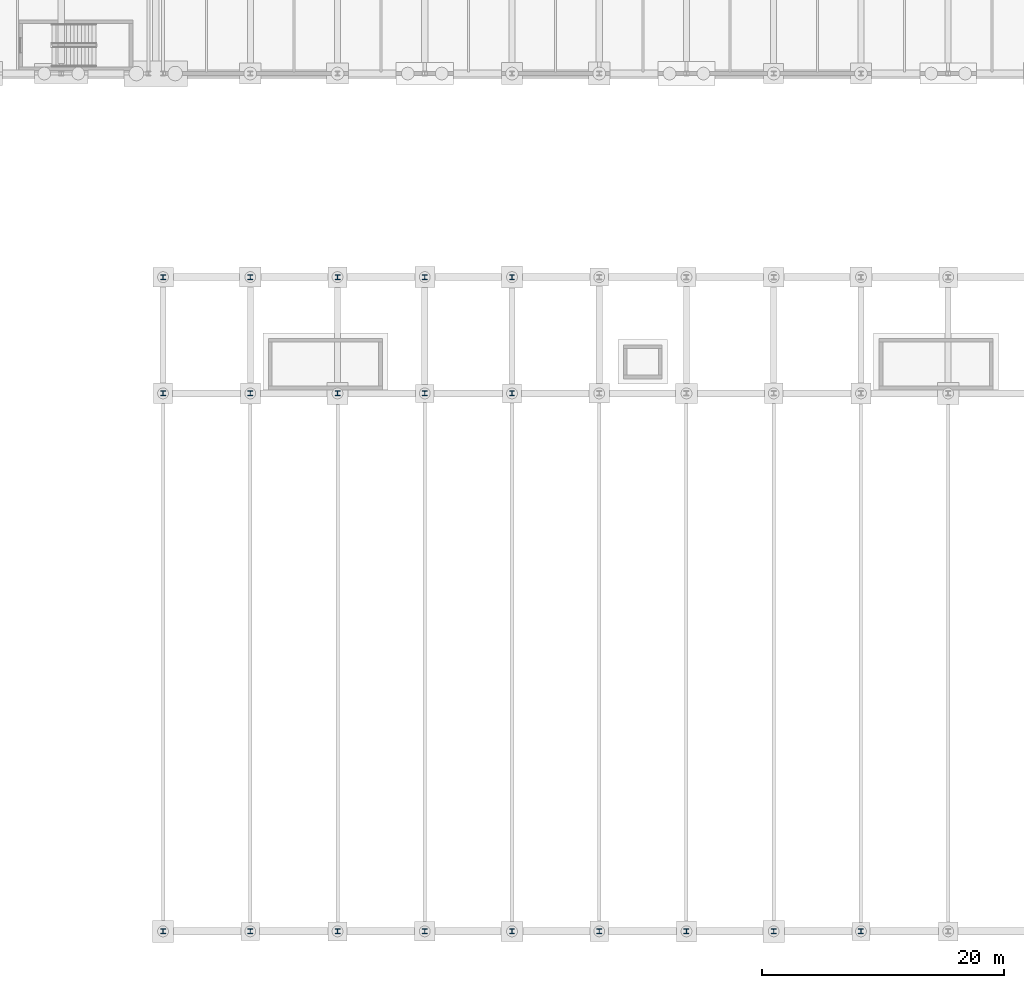
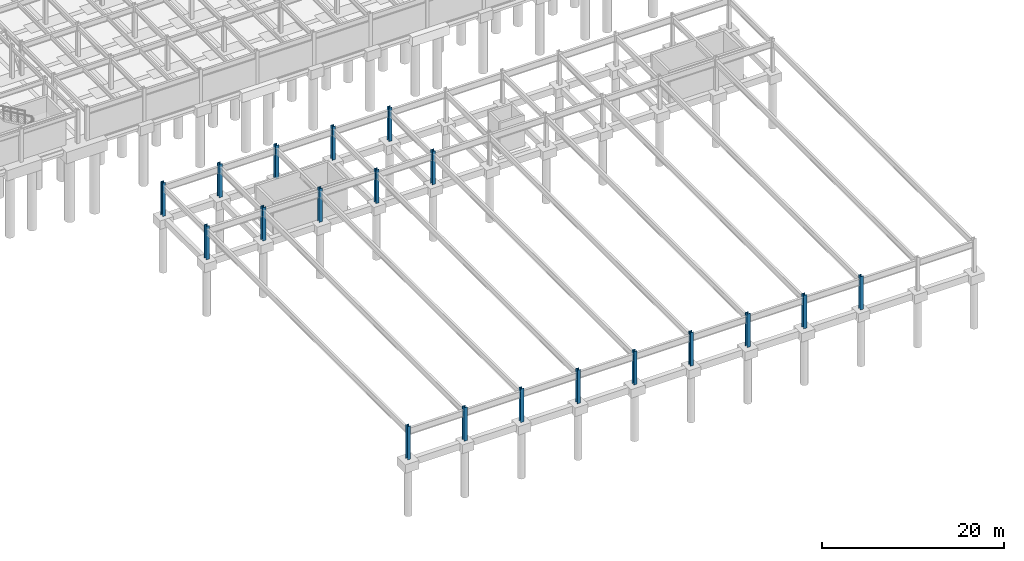
# One storey, part 15 of 54: 19 columns.
"""IFC4 building model written with IfcOpenShell, lengths in metres."""

from ifc_helpers import new_model, si_unit, direction, frame, origin, origin_2d, place, context, subcontext, project, spatial, i_section, extrude, material, material_profile, profile_set, type_object, element, save


model = new_model("IFC4")

# Units and contexts
model_context = context("Model", 3, precision=1e-05, world=origin(), true_north=direction((0.0, 1.0)))
body_context = subcontext(model_context, "Body", "Model", "MODEL_VIEW")
ifc_project = project(units=[si_unit("LENGTHUNIT", "METRE"), si_unit("AREAUNIT", "SQUARE_METRE"), si_unit("VOLUMEUNIT", "CUBIC_METRE"), si_unit("PLANEANGLEUNIT", "RADIAN"), si_unit("MASSUNIT", "GRAM", prefix="KILO")], contexts=[model_context])

# Site, building, storey
site_placement = place(None, origin())
site = spatial("IfcSite", under=ifc_project, at=site_placement, CompositionType="ELEMENT")
building_placement = place(site_placement, origin())
building = spatial("IfcBuilding", under=site, at=building_placement, Name="Vaelcorin Mobility Hub", CompositionType="ELEMENT")
storey_placement = place(building_placement, frame((0.0, 0.0, -4.5)))
storey = spatial("IfcBuildingStorey", under=building, at=storey_placement, Name="B1", CompositionType="ELEMENT", Elevation=-4.5)

# Columns
ifc_material = material(Name="Steel ASTM A992 Grade 50", Category="steel")
ifc_material_profile = material_profile(ifc_material, i_section(OverallWidth=0.408935546875, OverallDepth=0.424072265625, WebThickness=0.03271484375, FlangeThickness=0.052490234375, FilletRadius=0.014892578125, at=origin_2d()), Name="W14X283")
ifc_profile_set = profile_set([ifc_material_profile], Name="Steel ASTM A992 Grade 50")
column_type = type_object("IfcColumnType", Name="COL-W14X283", PredefinedType="COLUMN", material=ifc_profile_set)
for number, where, z_axis, x_axis, name in (
    (1, (36.0, 6.0, 0.0), (0.0, 0.0, 1.0), (1.0, 0.0, 0.0), "Column V1-X01-arch_s B1"),
    (2, (36.0, 50.39990234375, 0.0), (0.0, 0.0, 1.0), (1.0, 0.0, 0.0), "Column V1-X01-gal B1"),
    (3, (36.0, 60.0, 0.0), (0.0, 0.0, 1.0), (1.0, 0.0, 0.0), "Column V1-X01-arch_n B1"),
    (4, (43.199951171875, 6.0, 0.0), (0.0, 0.0, 1.0), (1.0, 0.0, 0.0), "Column V1-X02-arch_s B1"),
    (5, (43.199951171875, 50.39990234375, 0.0), (0.0, 0.0, 1.0), (1.0, 0.0, 0.0), "Column V1-X02-gal B1"),
    (6, (43.199951171875, 60.0, 0.0), (0.0, 0.0, 1.0), (1.0, 0.0, 0.0), "Column V1-X02-arch_n B1"),
    (7, (50.39990234375, 6.0, 0.0), (0.0, 0.0, 1.0), (1.0, 0.0, 0.0), "Column V1-X03-arch_s B1"),
    (8, (50.39990234375, 50.39990234375, 0.0), (0.0, 0.0, 1.0), (1.0, 0.0, 0.0), "Column V1-X03-gal B1"),
    (9, (50.39990234375, 60.0, 0.0), (0.0, 0.0, 1.0), (1.0, 0.0, 0.0), "Column V1-X03-arch_n B1"),
    (10, (57.60009765625, 6.0, 0.0), (0.0, 0.0, 1.0), (1.0, 0.0, 0.0), "Column V1-X04-arch_s B1"),
    (11, (57.60009765625, 50.39990234375, 0.0), (0.0, 0.0, 1.0), (1.0, 0.0, 0.0), "Column V1-X04-gal B1"),
    (12, (57.60009765625, 60.0, 0.0), (0.0, 0.0, 1.0), (1.0, 0.0, 0.0), "Column V1-X04-arch_n B1"),
    (13, (64.800048828125, 6.0, 0.0), (0.0, 0.0, 1.0), (1.0, 0.0, 0.0), "Column V1-X05-arch_s B1"),
    (14, (64.800048828125, 50.39990234375, 0.0), (0.0, 0.0, 1.0), (1.0, 0.0, 0.0), "Column V1-X05-gal B1"),
    (15, (64.800048828125, 60.0, 0.0), (0.0, 0.0, 1.0), (1.0, 0.0, 0.0), "Column V1-X05-arch_n B1"),
    (16, (72.0, 6.0, 0.0), (0.0, 0.0, 1.0), (1.0, 0.0, 0.0), "Column V1-X06-arch_s B1"),
    (17, (79.199951171875, 6.0, 0.0), (0.0, 0.0, 1.0), (1.0, 0.0, 0.0), "Column V1-X07-arch_s B1"),
    (18, (86.39990234375, 6.0, 0.0), (0.0, 0.0, 1.0), (1.0, 0.0, 0.0), "Column V1-X08-arch_s B1"),
    (19, (93.60009765625, 6.0, 0.0), (0.0, 0.0, 1.0), (1.0, 0.0, 0.0), "Column V1-X09-arch_s B1"),
):
    element("IfcColumn", number, at=place(storey_placement, frame(where, z_axis=z_axis, x_axis=x_axis)), inside=storey, type_object=column_type, Name=name, PredefinedType="COLUMN", context=body_context, shape_type="SweptSolid", body=[
        extrude(i_section(OverallWidth=0.408935546875, OverallDepth=0.424072265625, WebThickness=0.03271484375, FlangeThickness=0.052490234375, FilletRadius=0.014892578125, at=origin_2d()), origin(), (0.0, 0.0, 1.0), 4.5),
    ])

save(model, "model.ifc")
